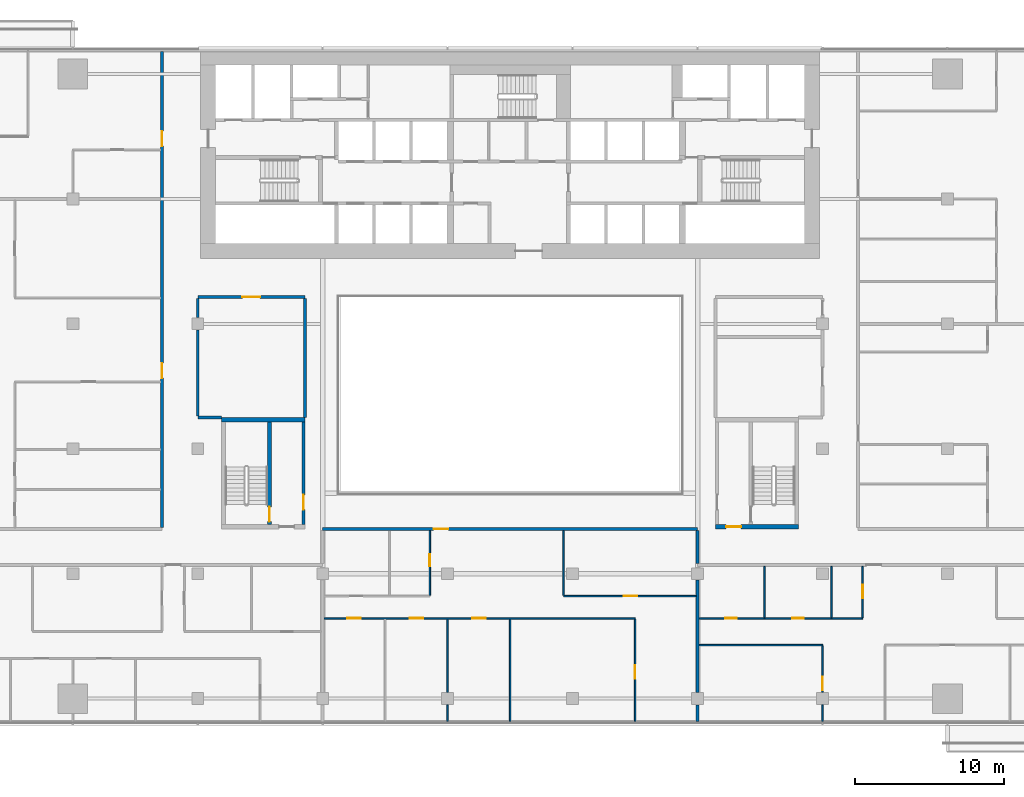
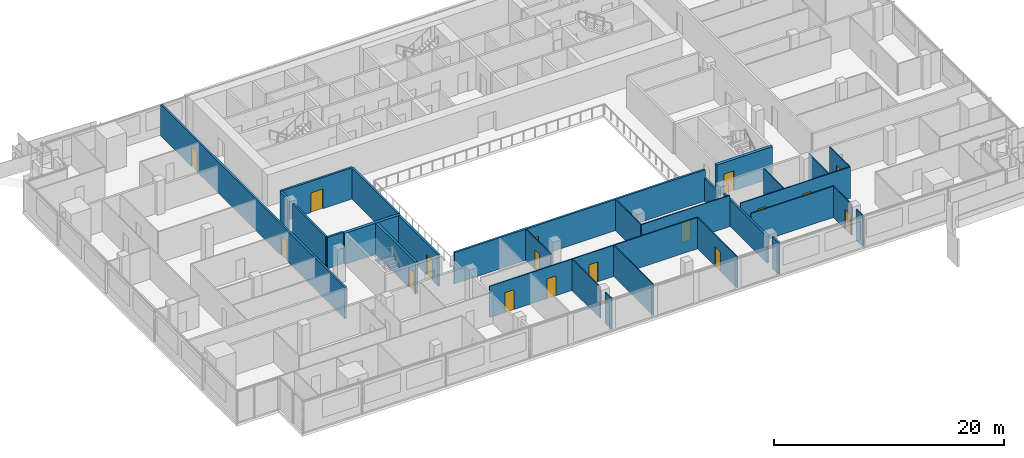
# One storey, part 19 of 30: 29 walls, 17 doors, 17 openings.
"""IFC4 building model written with IfcOpenShell, lengths in metres."""

from ifc_helpers import new_model, si_unit, direction, frame, frame_2d, origin, place, context, subcontext, project, spatial, rectangle, extrude, material, layer, layer_set, type_object, element, fill, save


model = new_model("IFC4")

# Units and contexts
model_context = context("Model", 3, precision=1e-05, world=origin(), true_north=direction((0.0, 1.0)))
body_context = subcontext(model_context, "Body", "Model", "MODEL_VIEW")
ifc_project = project(units=[si_unit("LENGTHUNIT", "METRE"), si_unit("AREAUNIT", "SQUARE_METRE"), si_unit("VOLUMEUNIT", "CUBIC_METRE"), si_unit("PLANEANGLEUNIT", "RADIAN"), si_unit("MASSUNIT", "GRAM", prefix="KILO")], contexts=[model_context])

# Site, building, storey
site_placement = place(None, origin())
site = spatial("IfcSite", under=ifc_project, at=site_placement, CompositionType="ELEMENT")
building_placement = place(site_placement, origin())
building = spatial("IfcBuilding", under=site, at=building_placement, Name="Saffron Gate Tower", CompositionType="ELEMENT")
storey_placement = place(building_placement, frame((0.0, 0.0, 127.64990234375)))
storey = spatial("IfcBuildingStorey", under=building, at=storey_placement, Name="L30", CompositionType="ELEMENT", Elevation=127.64990234375)

# Wall, opening, door
ifc_material_1 = material(Name="Gypsum board partition on steel studs", Category="steel")
ifc_layer_1 = layer(ifc_material_1, 0.199951171875)
ifc_layer_set_1 = layer_set([ifc_layer_1], Name="CW10 Core partition 200")
wall_type_1 = type_object("IfcWallType", Name="CW10 Core partition 200", PredefinedType="PARTITIONING", material=ifc_layer_set_1)
wall_1_placement = place(storey_placement, frame((73.699951171875, 43.5, 0.0), z_axis=(0.0, 0.0, 1.0), x_axis=(0.0, 1.0, 0.0)))
wall_1 = element("IfcWall", 1, at=wall_1_placement, inside=storey, type_object=wall_type_1, Name="Wall CW10-L30-D-4", PredefinedType="PARTITIONING", context=body_context, shape_type="SweptSolid", body=[
    extrude(rectangle(XDim=6.89990234375, YDim=0.199951171875, at=frame_2d((3.449951171875, 0.0))), origin(), (0.0, 0.0, 1.0), 3.320068359375),
])
opening_1_placement = place(wall_1_placement, frame((1.0, 0.0, 0.0)))
opening_1 = element("IfcOpeningElement", 2, at=opening_1_placement, cuts=wall_1, Name="Opening CR-19", PredefinedType="OPENING", context=body_context, shape_type="SweptSolid", body=[
    extrude(rectangle(XDim=1.0, YDim=2.10009765625, at=frame_2d((0.5, 1.050048828125))), frame((0.0, 0.10986328125, 0.0), z_axis=(0.0, -1.0, 0.0), x_axis=(1.0, 0.0, 0.0)), (0.0, 0.0, 1.0), 0.219970703125),
])
ifc_material_2 = material(Name="Steel fire door set", Category="steel")
door_type_1 = type_object("IfcDoorType", Name="CD4 Lobby door 1000x2100 EI 120", OperationType="NOTDEFINED", PredefinedType="DOOR", material=ifc_material_2)
door_1_placement = place(opening_1_placement, origin())
door_1 = element("IfcDoor", 3, at=door_1_placement, inside=storey, type_object=door_type_1, Name="DOOR CR-19", OperationType="SINGLE_SWING_RIGHT", OverallHeight=2.10009765625, OverallWidth=1.0, PredefinedType="DOOR", context=body_context, shape_type="SweptSolid", body=[
    extrude(rectangle(XDim=1.0, YDim=2.10009765625, at=frame_2d((0.5, 1.050048828125))), frame((0.0, 0.02490234375, 0.0), z_axis=(0.0, -1.0, 0.0), x_axis=(1.0, 0.0, 0.0)), (0.0, 0.0, 1.0), 0.050048828125),
])
fill(opening_1, door_1)

ifc_material_3 = material(Name="Concrete C70", Category="concrete")
ifc_layer_2 = layer(ifc_material_3, 0.25)
ifc_layer_set_2 = layer_set([ifc_layer_2], Name="CW2 RC core wall 250 C70")
wall_type_2 = type_object("IfcWallType", Name="CW2 RC core wall 250 C70", PredefinedType="SOLIDWALL", material=ifc_layer_set_2)
wall_2_placement = place(storey_placement, frame((71.425048828125, 43.5, 0.0), z_axis=(0.0, 0.0, 1.0), x_axis=(0.0, 1.0, 0.0)))
wall_2 = element("IfcWall", 4, at=wall_2_placement, inside=storey, type_object=wall_type_2, Name="Wall CW2-L30-D-3", PredefinedType="SOLIDWALL", context=body_context, shape_type="SweptSolid", body=[
    extrude(rectangle(XDim=6.89990234375, YDim=0.25, at=frame_2d((3.449951171875, 0.0))), origin(), (0.0, 0.0, 1.0), 3.320068359375),
])
opening_2_placement = place(wall_2_placement, frame((0.199951171875, 0.0, 0.0)))
opening_2 = element("IfcOpeningElement", 5, at=opening_2_placement, cuts=wall_2, Name="Opening CR-20", PredefinedType="OPENING", context=body_context, shape_type="SweptSolid", body=[
    extrude(rectangle(XDim=1.0, YDim=2.10009765625, at=frame_2d((0.5, 1.050048828125))), frame((0.0, 0.135009765625, 0.0), z_axis=(0.0, -1.0, 0.0), x_axis=(1.0, 0.0, 0.0)), (0.0, 0.0, 1.0), 0.27001953125),
])
door_type_2 = type_object("IfcDoorType", Name="CD5 Stair door 1000x2100 EI 120", OperationType="NOTDEFINED", PredefinedType="DOOR", material=ifc_material_2)
door_2_placement = place(opening_2_placement, origin())
door_2 = element("IfcDoor", 6, at=door_2_placement, inside=storey, type_object=door_type_2, Name="DOOR CR-20", OperationType="SINGLE_SWING_LEFT", OverallHeight=2.10009765625, OverallWidth=1.0, PredefinedType="DOOR", context=body_context, shape_type="SweptSolid", body=[
    extrude(rectangle(XDim=1.0, YDim=2.10009765625, at=frame_2d((0.5, 1.050048828125))), frame((0.0, 0.02490234375, 0.0), z_axis=(0.0, -1.0, 0.0), x_axis=(1.0, 0.0, 0.0)), (0.0, 0.0, 1.0), 0.050048828125),
])
fill(opening_2, door_2)

# Wall
ifc_layer_3 = layer(ifc_material_3, 0.300048828125)
ifc_layer_set_3 = layer_set([ifc_layer_3], Name="CW5 RC core wall 300 C70")
wall_type_3 = type_object("IfcWallType", Name="CW5 RC core wall 300 C70", PredefinedType="SOLIDWALL", material=ifc_layer_set_3)
wall_3_placement = place(storey_placement, frame((68.199951171875, 50.550048828125, 0.0), z_axis=(0.0, 0.0, 1.0), x_axis=(1.0, 0.0, 0.0)))
element("IfcWall", 7, at=wall_3_placement, inside=storey, type_object=wall_type_3, Name="Wall CW5-L30-D-5", PredefinedType="SOLIDWALL", context=body_context, shape_type="SweptSolid", body=[
    extrude(rectangle(XDim=5.60009765625, YDim=0.300048828125, at=frame_2d((2.800048828125, 0.0))), origin(), (0.0, 0.0, 1.0), 3.320068359375),
])

# Wall, opening, door
wall_4_placement = place(storey_placement, frame((101.39990234375, 43.35009765625, 0.0), z_axis=(0.0, 0.0, 1.0), x_axis=(1.0, 0.0, 0.0)))
wall_4 = element("IfcWall", 8, at=wall_4_placement, inside=storey, type_object=wall_type_3, Name="Wall CW5-L30-E-1", PredefinedType="SOLIDWALL", context=body_context, shape_type="SweptSolid", body=[
    extrude(rectangle(XDim=5.60009765625, YDim=0.300048828125, at=frame_2d((2.800048828125, 0.0))), origin(), (0.0, 0.0, 1.0), 3.320068359375),
])
opening_3_placement = place(wall_4_placement, frame((0.72509765625, 0.0, 0.0)))
opening_3 = element("IfcOpeningElement", 9, at=opening_3_placement, cuts=wall_4, Name="Opening CR-21", PredefinedType="OPENING", context=body_context, shape_type="SweptSolid", body=[
    extrude(rectangle(XDim=1.0, YDim=2.10009765625, at=frame_2d((0.5, 1.050048828125))), frame((0.0, 0.16015625, 0.0), z_axis=(0.0, -1.0, 0.0), x_axis=(1.0, 0.0, 0.0)), (0.0, 0.0, 1.0), 0.320068359375),
])
door_3_placement = place(opening_3_placement, origin())
door_3 = element("IfcDoor", 10, at=door_3_placement, inside=storey, type_object=door_type_1, Name="DOOR CR-21", OperationType="SINGLE_SWING_RIGHT", OverallHeight=2.10009765625, OverallWidth=1.0, PredefinedType="DOOR", context=body_context, shape_type="SweptSolid", body=[
    extrude(rectangle(XDim=1.0, YDim=2.10009765625, at=frame_2d((0.5, 1.050048828125))), frame((0.0, 0.02490234375, 0.0), z_axis=(0.0, -1.0, 0.0), x_axis=(1.0, 0.0, 0.0)), (0.0, 0.0, 1.0), 0.050048828125),
])
fill(opening_3, door_3)

# Wall
ifc_material_4 = material(Name="Plasterboard on steel studs", Category="steel")
ifc_layer_4 = layer(ifc_material_4, 0.10009765625)
ifc_layer_set_4 = layer_set([ifc_layer_4], Name="PW1 Partition 100")
wall_type_4 = type_object("IfcWallType", Name="PW1 Partition 100", PredefinedType="PARTITIONING", material=ifc_layer_set_4)
wall_5_placement = place(storey_placement, frame((100.300048828125, 35.39990234375, 0.0), z_axis=(0.0, 0.0, 1.0), x_axis=(1.0, 0.0, 0.0)))
element("IfcWall", 11, at=wall_5_placement, inside=storey, type_object=wall_type_4, Name="Partition B4-2", PredefinedType="PARTITIONING", context=body_context, shape_type="SweptSolid", body=[
    extrude(rectangle(XDim=8.300048828125, YDim=0.10009765625, at=frame_2d((4.14990234375, 0.0))), origin(), (0.0, 0.0, 1.0), 3.320068359375),
])

# Wall, openings, doors
wall_6_placement = place(storey_placement, frame((96.0, 37.199951171875, 0.0), z_axis=(0.0, 0.0, 1.0), x_axis=(-1.0, 0.0, 0.0)))
wall_6 = element("IfcWall", 12, at=wall_6_placement, inside=storey, type_object=wall_type_4, Name="Partition B4-6", PredefinedType="PARTITIONING", context=body_context, shape_type="SweptSolid", body=[
    extrude(rectangle(XDim=20.89990234375, YDim=0.10009765625, at=frame_2d((10.449951171875, 0.0))), origin(), (0.0, 0.0, 1.0), 3.320068359375),
])
opening_4_placement = place(wall_6_placement, frame((10.050048828125, 0.0, 0.0)))
opening_4 = element("IfcOpeningElement", 13, at=opening_4_placement, cuts=wall_6, Name="Opening B4-15", PredefinedType="OPENING", context=body_context, shape_type="SweptSolid", body=[
    extrude(rectangle(XDim=0.89990234375, YDim=2.10009765625, at=frame_2d((0.449951171875, 1.050048828125))), frame((0.0, 0.06005859375, 0.0), z_axis=(0.0, -1.0, 0.0), x_axis=(1.0, 0.0, 0.0)), (0.0, 0.0, 1.0), 0.1201171875),
])
opening_5_placement = place(wall_6_placement, frame((14.25, 0.0, 0.0)))
opening_5 = element("IfcOpeningElement", 14, at=opening_5_placement, cuts=wall_6, Name="Opening B4-14", PredefinedType="OPENING", context=body_context, shape_type="SweptSolid", body=[
    extrude(rectangle(XDim=0.89990234375, YDim=2.10009765625, at=frame_2d((0.449951171875, 1.050048828125))), frame((0.0, 0.06005859375, 0.0), z_axis=(0.0, -1.0, 0.0), x_axis=(1.0, 0.0, 0.0)), (0.0, 0.0, 1.0), 0.1201171875),
])
opening_6_placement = place(wall_6_placement, frame((18.449951171875, 0.0, 0.0)))
opening_6 = element("IfcOpeningElement", 15, at=opening_6_placement, cuts=wall_6, Name="Opening B4-13", PredefinedType="OPENING", context=body_context, shape_type="SweptSolid", body=[
    extrude(rectangle(XDim=0.89990234375, YDim=2.10009765625, at=frame_2d((0.449951171875, 1.050048828125))), frame((0.0, 0.06005859375, 0.0), z_axis=(0.0, -1.0, 0.0), x_axis=(1.0, 0.0, 0.0)), (0.0, 0.0, 1.0), 0.1201171875),
])
ifc_material_5 = material(Name="Timber door set", Category="wood")
door_type_3 = type_object("IfcDoorType", Name="RD1 Room door 900x2100", OperationType="NOTDEFINED", PredefinedType="DOOR", material=ifc_material_5)
door_4_placement = place(opening_4_placement, origin())
door_4 = element("IfcDoor", 16, at=door_4_placement, inside=storey, type_object=door_type_3, Name="Door B4-15", OperationType="SINGLE_SWING_RIGHT", OverallHeight=2.10009765625, OverallWidth=0.89990234375, PredefinedType="DOOR", context=body_context, shape_type="SweptSolid", body=[
    extrude(rectangle(XDim=0.89990234375, YDim=2.10009765625, at=frame_2d((0.449951171875, 1.050048828125))), frame((0.0, 0.02490234375, 0.0), z_axis=(0.0, -1.0, 0.0), x_axis=(1.0, 0.0, 0.0)), (0.0, 0.0, 1.0), 0.050048828125),
])
fill(opening_4, door_4)
door_5_placement = place(opening_5_placement, origin())
door_5 = element("IfcDoor", 17, at=door_5_placement, inside=storey, type_object=door_type_3, Name="Door B4-14", OperationType="SINGLE_SWING_RIGHT", OverallHeight=2.10009765625, OverallWidth=0.89990234375, PredefinedType="DOOR", context=body_context, shape_type="SweptSolid", body=[
    extrude(rectangle(XDim=0.89990234375, YDim=2.10009765625, at=frame_2d((0.449951171875, 1.050048828125))), frame((0.0, 0.02490234375, 0.0), z_axis=(0.0, -1.0, 0.0), x_axis=(1.0, 0.0, 0.0)), (0.0, 0.0, 1.0), 0.050048828125),
])
fill(opening_5, door_5)
door_6_placement = place(opening_6_placement, origin())
door_6 = element("IfcDoor", 18, at=door_6_placement, inside=storey, type_object=door_type_3, Name="Door B4-13", OperationType="SINGLE_SWING_RIGHT", OverallHeight=2.10009765625, OverallWidth=0.89990234375, PredefinedType="DOOR", context=body_context, shape_type="SweptSolid", body=[
    extrude(rectangle(XDim=0.89990234375, YDim=2.10009765625, at=frame_2d((0.449951171875, 1.050048828125))), frame((0.0, 0.02490234375, 0.0), z_axis=(0.0, -1.0, 0.0), x_axis=(1.0, 0.0, 0.0)), (0.0, 0.0, 1.0), 0.050048828125),
])
fill(opening_6, door_6)

wall_7_placement = place(storey_placement, frame((100.300048828125, 37.199951171875, 0.0), z_axis=(0.0, 0.0, 1.0), x_axis=(1.0, 0.0, 0.0)))
wall_7 = element("IfcWall", 19, at=wall_7_placement, inside=storey, type_object=wall_type_4, Name="Partition B4-7", PredefinedType="PARTITIONING", context=body_context, shape_type="SweptSolid", body=[
    extrude(rectangle(XDim=11.0, YDim=0.10009765625, at=frame_2d((5.5, 0.0))), origin(), (0.0, 0.0, 1.0), 3.320068359375),
])
opening_7_placement = place(wall_7_placement, frame((1.75, 0.0, 0.0)))
opening_7 = element("IfcOpeningElement", 20, at=opening_7_placement, cuts=wall_7, Name="Opening B4-40", PredefinedType="OPENING", context=body_context, shape_type="SweptSolid", body=[
    extrude(rectangle(XDim=0.800048828125, YDim=2.10009765625, at=frame_2d((0.39990234375, 1.050048828125))), frame((0.0, 0.06005859375, 0.0), z_axis=(0.0, -1.0, 0.0), x_axis=(1.0, 0.0, 0.0)), (0.0, 0.0, 1.0), 0.1201171875),
])
opening_8_placement = place(wall_7_placement, frame((6.25, 0.0, 0.0)))
opening_8 = element("IfcOpeningElement", 21, at=opening_8_placement, cuts=wall_7, Name="Opening B4-41", PredefinedType="OPENING", context=body_context, shape_type="SweptSolid", body=[
    extrude(rectangle(XDim=0.800048828125, YDim=2.10009765625, at=frame_2d((0.39990234375, 1.050048828125))), frame((0.0, 0.06005859375, 0.0), z_axis=(0.0, -1.0, 0.0), x_axis=(1.0, 0.0, 0.0)), (0.0, 0.0, 1.0), 0.1201171875),
])
door_type_4 = type_object("IfcDoorType", Name="RD2 Bathroom door 800x2100", OperationType="NOTDEFINED", PredefinedType="DOOR", material=ifc_material_5)
door_7_placement = place(opening_7_placement, origin())
door_7 = element("IfcDoor", 22, at=door_7_placement, inside=storey, type_object=door_type_4, Name="Door B4-40", OperationType="SINGLE_SWING_LEFT", OverallHeight=2.10009765625, OverallWidth=0.800048828125, PredefinedType="DOOR", context=body_context, shape_type="SweptSolid", body=[
    extrude(rectangle(XDim=0.800048828125, YDim=2.10009765625, at=frame_2d((0.39990234375, 1.050048828125))), frame((0.0, 0.02490234375, 0.0), z_axis=(0.0, -1.0, 0.0), x_axis=(1.0, 0.0, 0.0)), (0.0, 0.0, 1.0), 0.050048828125),
])
fill(opening_7, door_7)
door_8_placement = place(opening_8_placement, origin())
door_8 = element("IfcDoor", 23, at=door_8_placement, inside=storey, type_object=door_type_4, Name="Door B4-41", OperationType="SINGLE_SWING_RIGHT", OverallHeight=2.10009765625, OverallWidth=0.800048828125, PredefinedType="DOOR", context=body_context, shape_type="SweptSolid", body=[
    extrude(rectangle(XDim=0.800048828125, YDim=2.10009765625, at=frame_2d((0.39990234375, 1.050048828125))), frame((0.0, 0.02490234375, 0.0), z_axis=(0.0, -1.0, 0.0), x_axis=(1.0, 0.0, 0.0)), (0.0, 0.0, 1.0), 0.050048828125),
])
fill(opening_8, door_8)

# Wall, opening, door
wall_8_placement = place(storey_placement, frame((91.199951171875, 38.699951171875, 0.0), z_axis=(0.0, 0.0, 1.0), x_axis=(1.0, 0.0, 0.0)))
wall_8 = element("IfcWall", 24, at=wall_8_placement, inside=storey, type_object=wall_type_4, Name="Partition B4-10", PredefinedType="PARTITIONING", context=body_context, shape_type="SweptSolid", body=[
    extrude(rectangle(XDim=8.900146484375, YDim=0.10009765625, at=frame_2d((4.4501953125, 0.0))), origin(), (0.0, 0.0, 1.0), 3.320068359375),
])
opening_9_placement = place(wall_8_placement, frame((4.050048828125, 0.0, 0.0)))
opening_9 = element("IfcOpeningElement", 25, at=opening_9_placement, cuts=wall_8, Name="Opening B4-17", PredefinedType="OPENING", context=body_context, shape_type="SweptSolid", body=[
    extrude(rectangle(XDim=0.89990234375, YDim=2.10009765625, at=frame_2d((0.449951171875, 1.050048828125))), frame((0.0, 0.06005859375, 0.0), z_axis=(0.0, -1.0, 0.0), x_axis=(1.0, 0.0, 0.0)), (0.0, 0.0, 1.0), 0.1201171875),
])
door_9_placement = place(opening_9_placement, origin())
door_9 = element("IfcDoor", 26, at=door_9_placement, inside=storey, type_object=door_type_3, Name="Door B4-17", OperationType="SINGLE_SWING_RIGHT", OverallHeight=2.10009765625, OverallWidth=0.89990234375, PredefinedType="DOOR", context=body_context, shape_type="SweptSolid", body=[
    extrude(rectangle(XDim=0.89990234375, YDim=2.10009765625, at=frame_2d((0.449951171875, 1.050048828125))), frame((0.0, 0.02490234375, 0.0), z_axis=(0.0, -1.0, 0.0), x_axis=(1.0, 0.0, 0.0)), (0.0, 0.0, 1.0), 0.050048828125),
])
fill(opening_9, door_9)

wall_9_placement = place(storey_placement, frame((82.199951171875, 38.75, 0.0), z_axis=(0.0, 0.0, 1.0), x_axis=(0.0, 1.0, 0.0)))
wall_9 = element("IfcWall", 27, at=wall_9_placement, inside=storey, type_object=wall_type_4, Name="Partition B4-76", PredefinedType="PARTITIONING", context=body_context, shape_type="SweptSolid", body=[
    extrude(rectangle(XDim=4.35009765625, YDim=0.10009765625, at=frame_2d((2.175048828125, 0.0))), origin(), (0.0, 0.0, 1.0), 3.320068359375),
])
opening_10_placement = place(wall_9_placement, frame((1.949951171875, 0.0, 0.0)))
opening_10 = element("IfcOpeningElement", 28, at=opening_10_placement, cuts=wall_9, Name="Opening B4-39", PredefinedType="OPENING", context=body_context, shape_type="SweptSolid", body=[
    extrude(rectangle(XDim=0.800048828125, YDim=2.10009765625, at=frame_2d((0.39990234375, 1.050048828125))), frame((0.0, 0.06005859375, 0.0), z_axis=(0.0, -1.0, 0.0), x_axis=(1.0, 0.0, 0.0)), (0.0, 0.0, 1.0), 0.1201171875),
])
door_10_placement = place(opening_10_placement, origin())
door_10 = element("IfcDoor", 29, at=door_10_placement, inside=storey, type_object=door_type_4, Name="Door B4-39", OperationType="SINGLE_SWING_RIGHT", OverallHeight=2.10009765625, OverallWidth=0.800048828125, PredefinedType="DOOR", context=body_context, shape_type="SweptSolid", body=[
    extrude(rectangle(XDim=0.800048828125, YDim=2.10009765625, at=frame_2d((0.39990234375, 1.050048828125))), frame((0.0, 0.02490234375, 0.0), z_axis=(0.0, -1.0, 0.0), x_axis=(1.0, 0.0, 0.0)), (0.0, 0.0, 1.0), 0.050048828125),
])
fill(opening_10, door_10)

# Walls
wall_10_placement = place(storey_placement, frame((83.39990234375, 31.3798828125, 0.0), z_axis=(0.0, 0.0, 1.0), x_axis=(0.0, -1.0, 0.0)))
element("IfcWall", 30, at=wall_10_placement, inside=storey, type_object=wall_type_4, Name="Partition B4-77", PredefinedType="PARTITIONING", context=body_context, shape_type="SweptSolid", body=[
    extrude(rectangle(XDim=1.099853515625, YDim=0.10009765625, at=frame_2d((0.5498046875, 0.0))), origin(), (0.0, 0.0, 1.0), 3.320068359375),
])
wall_11_placement = place(storey_placement, frame((83.39990234375, 37.14990234375, 0.0), z_axis=(0.0, 0.0, 1.0), x_axis=(0.0, -1.0, 0.0)))
element("IfcWall", 31, at=wall_11_placement, inside=storey, type_object=wall_type_4, Name="Partition B4-78", PredefinedType="PARTITIONING", context=body_context, shape_type="SweptSolid", body=[
    extrude(rectangle(XDim=4.929931640625, YDim=0.10009765625, at=frame_2d((2.46484375, 0.0))), origin(), (0.0, 0.0, 1.0), 3.320068359375),
])
wall_12_placement = place(storey_placement, frame((87.60009765625, 37.14990234375, 0.0), z_axis=(0.0, 0.0, 1.0), x_axis=(0.0, -1.0, 0.0)))
element("IfcWall", 32, at=wall_12_placement, inside=storey, type_object=wall_type_4, Name="Partition B4-79", PredefinedType="PARTITIONING", context=body_context, shape_type="SweptSolid", body=[
    extrude(rectangle(XDim=6.869873046875, YDim=0.10009765625, at=frame_2d((3.43505859375, 0.0))), origin(), (0.0, 0.0, 1.0), 3.320068359375),
])
wall_13_placement = place(storey_placement, frame((91.199951171875, 43.10009765625, 0.0), z_axis=(0.0, 0.0, 1.0), x_axis=(0.0, -1.0, 0.0)))
element("IfcWall", 33, at=wall_13_placement, inside=storey, type_object=wall_type_4, Name="Partition B4-80", PredefinedType="PARTITIONING", context=body_context, shape_type="SweptSolid", body=[
    extrude(rectangle(XDim=4.35009765625, YDim=0.10009765625, at=frame_2d((2.175048828125, 0.0))), origin(), (0.0, 0.0, 1.0), 3.320068359375),
])

# Wall, opening, door
wall_14_placement = place(storey_placement, frame((96.0, 30.280029296875, 0.0), z_axis=(0.0, 0.0, 1.0), x_axis=(0.0, 1.0, 0.0)))
wall_14 = element("IfcWall", 34, at=wall_14_placement, inside=storey, type_object=wall_type_4, Name="Partition B4-81", PredefinedType="PARTITIONING", context=body_context, shape_type="SweptSolid", body=[
    extrude(rectangle(XDim=6.869873046875, YDim=0.10009765625, at=frame_2d((3.43505859375, 0.0))), origin(), (0.0, 0.0, 1.0), 3.320068359375),
])
opening_11_placement = place(wall_14_placement, frame((2.8701171875, 0.0, 0.0)))
opening_11 = element("IfcOpeningElement", 35, at=opening_11_placement, cuts=wall_14, Name="Opening B4-16", PredefinedType="OPENING", context=body_context, shape_type="SweptSolid", body=[
    extrude(rectangle(XDim=0.89990234375, YDim=2.10009765625, at=frame_2d((0.449951171875, 1.050048828125))), frame((0.0, 0.06005859375, 0.0), z_axis=(0.0, -1.0, 0.0), x_axis=(1.0, 0.0, 0.0)), (0.0, 0.0, 1.0), 0.1201171875),
])
door_11_placement = place(opening_11_placement, origin())
door_11 = element("IfcDoor", 36, at=door_11_placement, inside=storey, type_object=door_type_3, Name="Door B4-16", OperationType="SINGLE_SWING_LEFT", OverallHeight=2.10009765625, OverallWidth=0.89990234375, PredefinedType="DOOR", context=body_context, shape_type="SweptSolid", body=[
    extrude(rectangle(XDim=0.89990234375, YDim=2.10009765625, at=frame_2d((0.449951171875, 1.050048828125))), frame((0.0, 0.02490234375, 0.0), z_axis=(0.0, -1.0, 0.0), x_axis=(1.0, 0.0, 0.0)), (0.0, 0.0, 1.0), 0.050048828125),
])
fill(opening_11, door_11)

# Walls
wall_15_placement = place(storey_placement, frame((104.699951171875, 40.699951171875, 0.0), z_axis=(0.0, 0.0, 1.0), x_axis=(0.0, -1.0, 0.0)))
element("IfcWall", 37, at=wall_15_placement, inside=storey, type_object=wall_type_4, Name="Partition B4-86", PredefinedType="PARTITIONING", context=body_context, shape_type="SweptSolid", body=[
    extrude(rectangle(XDim=3.449951171875, YDim=0.10009765625, at=frame_2d((1.72509765625, 0.0))), origin(), (0.0, 0.0, 1.0), 3.320068359375),
])
wall_16_placement = place(storey_placement, frame((108.60009765625, 31.3798828125, 0.0), z_axis=(0.0, 0.0, 1.0), x_axis=(0.0, -1.0, 0.0)))
element("IfcWall", 38, at=wall_16_placement, inside=storey, type_object=wall_type_4, Name="Partition B4-89", PredefinedType="PARTITIONING", context=body_context, shape_type="SweptSolid", body=[
    extrude(rectangle(XDim=1.099853515625, YDim=0.10009765625, at=frame_2d((0.5498046875, 0.0))), origin(), (0.0, 0.0, 1.0), 3.320068359375),
])

# Wall, opening, door
wall_17_placement = place(storey_placement, frame((108.60009765625, 32.219970703125, 0.0), z_axis=(0.0, 0.0, 1.0), x_axis=(0.0, 1.0, 0.0)))
wall_17 = element("IfcWall", 39, at=wall_17_placement, inside=storey, type_object=wall_type_4, Name="Partition B4-90", PredefinedType="PARTITIONING", context=body_context, shape_type="SweptSolid", body=[
    extrude(rectangle(XDim=3.130126953125, YDim=0.10009765625, at=frame_2d((1.56494140625, 0.0))), origin(), (0.0, 0.0, 1.0), 3.320068359375),
])
opening_12_placement = place(wall_17_placement, frame((0.14990234375, 0.0, 0.0)))
opening_12 = element("IfcOpeningElement", 40, at=opening_12_placement, cuts=wall_17, Name="Opening B4-18", PredefinedType="OPENING", context=body_context, shape_type="SweptSolid", body=[
    extrude(rectangle(XDim=0.89990234375, YDim=2.10009765625, at=frame_2d((0.449951171875, 1.050048828125))), frame((0.0, 0.06005859375, 0.0), z_axis=(0.0, -1.0, 0.0), x_axis=(1.0, 0.0, 0.0)), (0.0, 0.0, 1.0), 0.1201171875),
])
door_12_placement = place(opening_12_placement, origin())
door_12 = element("IfcDoor", 41, at=door_12_placement, inside=storey, type_object=door_type_3, Name="Door B4-18", OperationType="SINGLE_SWING_LEFT", OverallHeight=2.10009765625, OverallWidth=0.89990234375, PredefinedType="DOOR", context=body_context, shape_type="SweptSolid", body=[
    extrude(rectangle(XDim=0.89990234375, YDim=2.10009765625, at=frame_2d((0.449951171875, 1.050048828125))), frame((0.0, 0.02490234375, 0.0), z_axis=(0.0, -1.0, 0.0), x_axis=(1.0, 0.0, 0.0)), (0.0, 0.0, 1.0), 0.050048828125),
])
fill(opening_12, door_12)

# Wall
wall_18_placement = place(storey_placement, frame((109.199951171875, 40.699951171875, 0.0), z_axis=(0.0, 0.0, 1.0), x_axis=(0.0, -1.0, 0.0)))
element("IfcWall", 42, at=wall_18_placement, inside=storey, type_object=wall_type_4, Name="Partition B4-91", PredefinedType="PARTITIONING", context=body_context, shape_type="SweptSolid", body=[
    extrude(rectangle(XDim=3.449951171875, YDim=0.10009765625, at=frame_2d((1.72509765625, 0.0))), origin(), (0.0, 0.0, 1.0), 3.320068359375),
])

# Wall, opening, door
wall_19_placement = place(storey_placement, frame((111.300048828125, 37.25, 0.0), z_axis=(0.0, 0.0, 1.0), x_axis=(0.0, 1.0, 0.0)))
wall_19 = element("IfcWall", 43, at=wall_19_placement, inside=storey, type_object=wall_type_4, Name="Partition B4-93", PredefinedType="PARTITIONING", context=body_context, shape_type="SweptSolid", body=[
    extrude(rectangle(XDim=3.449951171875, YDim=0.10009765625, at=frame_2d((1.72509765625, 0.0))), origin(), (0.0, 0.0, 1.0), 3.320068359375),
])
opening_13_placement = place(wall_19_placement, frame((1.300048828125, 0.0, 0.0)))
opening_13 = element("IfcOpeningElement", 44, at=opening_13_placement, cuts=wall_19, Name="Opening B4-22", PredefinedType="OPENING", context=body_context, shape_type="SweptSolid", body=[
    extrude(rectangle(XDim=0.89990234375, YDim=2.10009765625, at=frame_2d((0.449951171875, 1.050048828125))), frame((0.0, 0.06005859375, 0.0), z_axis=(0.0, -1.0, 0.0), x_axis=(1.0, 0.0, 0.0)), (0.0, 0.0, 1.0), 0.1201171875),
])
door_13_placement = place(opening_13_placement, origin())
door_13 = element("IfcDoor", 45, at=door_13_placement, inside=storey, type_object=door_type_3, Name="Door B4-22", OperationType="SINGLE_SWING_RIGHT", OverallHeight=2.10009765625, OverallWidth=0.89990234375, PredefinedType="DOOR", context=body_context, shape_type="SweptSolid", body=[
    extrude(rectangle(XDim=0.89990234375, YDim=2.10009765625, at=frame_2d((0.449951171875, 1.050048828125))), frame((0.0, 0.02490234375, 0.0), z_axis=(0.0, -1.0, 0.0), x_axis=(1.0, 0.0, 0.0)), (0.0, 0.0, 1.0), 0.050048828125),
])
fill(opening_13, door_13)

# Walls
ifc_material_6 = material(Name="Clay brick masonry, rendered", Category="masonry")
ifc_layer_5 = layer(ifc_material_6, 0.199951171875)
ifc_layer_set_5 = layer_set([ifc_layer_5], Name="PW2 Demising wall 200")
wall_type_5 = type_object("IfcWallType", Name="PW2 Demising wall 200", PredefinedType="PARTITIONING", material=ifc_layer_set_5)
wall_20_placement = place(storey_placement, frame((100.199951171875, 31.3798828125, 0.0), z_axis=(0.0, 0.0, 1.0), x_axis=(0.0, -1.0, 0.0)))
element("IfcWall", 46, at=wall_20_placement, inside=storey, type_object=wall_type_5, Name="Wall B4-83", PredefinedType="PARTITIONING", context=body_context, shape_type="SweptSolid", body=[
    extrude(rectangle(XDim=1.099853515625, YDim=0.199951171875, at=frame_2d((0.5498046875, 0.0))), origin(), (0.0, 0.0, 1.0), 3.320068359375),
])
wall_21_placement = place(storey_placement, frame((100.199951171875, 39.780029296875, 0.0), z_axis=(0.0, 0.0, 1.0), x_axis=(0.0, -1.0, 0.0)))
element("IfcWall", 47, at=wall_21_placement, inside=storey, type_object=wall_type_5, Name="Wall B4-84", PredefinedType="PARTITIONING", context=body_context, shape_type="SweptSolid", body=[
    extrude(rectangle(XDim=7.56005859375, YDim=0.199951171875, at=frame_2d((3.780029296875, 0.0))), origin(), (0.0, 0.0, 1.0), 2.830078125),
])

# Wall, opening, door
ifc_layer_6 = layer(ifc_material_6, 0.199951171875)
ifc_layer_set_6 = layer_set([ifc_layer_6], Name="PW3 Corridor wall 200")
wall_type_6 = type_object("IfcWallType", Name="PW3 Corridor wall 200", PredefinedType="PARTITIONING", material=ifc_layer_set_6)
wall_22_placement = place(storey_placement, frame((100.199951171875, 43.199951171875, 0.0), z_axis=(0.0, 0.0, 1.0), x_axis=(-1.0, 0.0, 0.0)))
wall_22 = element("IfcWall", 48, at=wall_22_placement, inside=storey, type_object=wall_type_6, Name="Wall B4-16", PredefinedType="PARTITIONING", context=body_context, shape_type="SweptSolid", body=[
    extrude(rectangle(XDim=25.199951171875, YDim=0.199951171875, at=frame_2d((12.60009765625, 0.0))), origin(), (0.0, 0.0, 1.0), 3.320068359375),
])
opening_14_placement = place(wall_22_placement, frame((16.75, 0.0, 0.0)))
opening_14 = element("IfcOpeningElement", 49, at=opening_14_placement, cuts=wall_22, Name="Opening B4-2", PredefinedType="OPENING", context=body_context, shape_type="SweptSolid", body=[
    extrude(rectangle(XDim=1.0, YDim=2.10009765625, at=frame_2d((0.5, 1.050048828125))), frame((0.0, 0.10986328125, 0.0), z_axis=(0.0, -1.0, 0.0), x_axis=(1.0, 0.0, 0.0)), (0.0, 0.0, 1.0), 0.219970703125),
])
ifc_material_7 = material(Name="Timber fire door set", Category="wood")
door_type_5 = type_object("IfcDoorType", Name="FD1 Flat entry door 1000x2100", OperationType="NOTDEFINED", PredefinedType="DOOR", material=ifc_material_7)
door_14_placement = place(opening_14_placement, origin())
door_14 = element("IfcDoor", 50, at=door_14_placement, inside=storey, type_object=door_type_5, Name="Door B4-2", OperationType="SINGLE_SWING_RIGHT", OverallHeight=2.10009765625, OverallWidth=1.0, PredefinedType="DOOR", context=body_context, shape_type="SweptSolid", body=[
    extrude(rectangle(XDim=1.0, YDim=2.10009765625, at=frame_2d((0.5, 1.050048828125))), frame((0.0, 0.02490234375, 0.0), z_axis=(0.0, -1.0, 0.0), x_axis=(1.0, 0.0, 0.0)), (0.0, 0.0, 1.0), 0.050048828125),
])
fill(opening_14, door_14)

# Wall
wall_23_placement = place(storey_placement, frame((66.60009765625, 50.699951171875, 0.0), z_axis=(0.0, 0.0, 1.0), x_axis=(1.0, 0.0, 0.0)))
element("IfcWall", 51, at=wall_23_placement, inside=storey, type_object=wall_type_6, Name="Wall B4-28", PredefinedType="PARTITIONING", context=body_context, shape_type="SweptSolid", body=[
    extrude(rectangle(XDim=1.599853515625, YDim=0.199951171875, at=frame_2d((0.7998046875, 0.0))), origin(), (0.0, 0.0, 1.0), 3.320068359375),
])

# Wall, opening, door
wall_24_placement = place(storey_placement, frame((73.800048828125, 58.800048828125, 0.0), z_axis=(0.0, 0.0, 1.0), x_axis=(-1.0, 0.0, 0.0)))
wall_24 = element("IfcWall", 52, at=wall_24_placement, inside=storey, type_object=wall_type_6, Name="Wall B4-39", PredefinedType="PARTITIONING", context=body_context, shape_type="SweptSolid", body=[
    extrude(rectangle(XDim=7.199951171875, YDim=0.199951171875, at=frame_2d((3.60009765625, 0.0))), origin(), (0.0, 0.0, 1.0), 3.320068359375),
])
opening_15_placement = place(wall_24_placement, frame((3.0, 0.0, 0.0)))
opening_15 = element("IfcOpeningElement", 53, at=opening_15_placement, cuts=wall_24, Name="Opening B4-49", PredefinedType="OPENING", context=body_context, shape_type="SweptSolid", body=[
    extrude(rectangle(XDim=1.199951171875, YDim=2.10009765625, at=frame_2d((0.60009765625, 1.050048828125))), frame((0.0, 0.10986328125, 0.0), z_axis=(0.0, -1.0, 0.0), x_axis=(1.0, 0.0, 0.0)), (0.0, 0.0, 1.0), 0.219970703125),
])
door_type_6 = type_object("IfcDoorType", Name="HD1 Hall door 1200x2100", OperationType="NOTDEFINED", PredefinedType="DOOR", material=ifc_material_5)
door_15_placement = place(opening_15_placement, origin())
door_15 = element("IfcDoor", 54, at=door_15_placement, inside=storey, type_object=door_type_6, Name="Door B4-49", OperationType="SINGLE_SWING_LEFT", OverallHeight=2.10009765625, OverallWidth=1.199951171875, PredefinedType="DOOR", context=body_context, shape_type="SweptSolid", body=[
    extrude(rectangle(XDim=1.199951171875, YDim=2.10009765625, at=frame_2d((0.60009765625, 1.050048828125))), frame((0.0, 0.02490234375, 0.0), z_axis=(0.0, -1.0, 0.0), x_axis=(1.0, 0.0, 0.0)), (0.0, 0.0, 1.0), 0.050048828125),
])
fill(opening_15, door_15)

# Wall, openings, doors
wall_25_placement = place(storey_placement, frame((64.199951171875, 43.300048828125, 0.0), z_axis=(0.0, 0.0, 1.0), x_axis=(0.0, 1.0, 0.0)))
wall_25 = element("IfcWall", 55, at=wall_25_placement, inside=storey, type_object=wall_type_6, Name="Wall B4-63", PredefinedType="PARTITIONING", context=body_context, shape_type="SweptSolid", body=[
    extrude(rectangle(XDim=32.02001953125, YDim=0.199951171875, at=frame_2d((16.010009765625, 0.0))), origin(), (0.0, 0.0, 1.0), 3.320068359375),
])
opening_16_placement = place(wall_25_placement, frame((10.050048828125, 0.0, 0.0)))
opening_16 = element("IfcOpeningElement", 56, at=opening_16_placement, cuts=wall_25, Name="Opening B4-4", PredefinedType="OPENING", context=body_context, shape_type="SweptSolid", body=[
    extrude(rectangle(XDim=1.0, YDim=2.10009765625, at=frame_2d((0.5, 1.050048828125))), frame((0.0, 0.10986328125, 0.0), z_axis=(0.0, -1.0, 0.0), x_axis=(1.0, 0.0, 0.0)), (0.0, 0.0, 1.0), 0.219970703125),
])
opening_17_placement = place(wall_25_placement, frame((25.64990234375, 0.0, 0.0)))
opening_17 = element("IfcOpeningElement", 57, at=opening_17_placement, cuts=wall_25, Name="Opening B4-5", PredefinedType="OPENING", context=body_context, shape_type="SweptSolid", body=[
    extrude(rectangle(XDim=1.0, YDim=2.10009765625, at=frame_2d((0.5, 1.050048828125))), frame((0.0, 0.10986328125, 0.0), z_axis=(0.0, -1.0, 0.0), x_axis=(1.0, 0.0, 0.0)), (0.0, 0.0, 1.0), 0.219970703125),
])
door_16_placement = place(opening_16_placement, origin())
door_16 = element("IfcDoor", 58, at=door_16_placement, inside=storey, type_object=door_type_5, Name="Door B4-4", OperationType="SINGLE_SWING_RIGHT", OverallHeight=2.10009765625, OverallWidth=1.0, PredefinedType="DOOR", context=body_context, shape_type="SweptSolid", body=[
    extrude(rectangle(XDim=1.0, YDim=2.10009765625, at=frame_2d((0.5, 1.050048828125))), frame((0.0, 0.02490234375, 0.0), z_axis=(0.0, -1.0, 0.0), x_axis=(1.0, 0.0, 0.0)), (0.0, 0.0, 1.0), 0.050048828125),
])
fill(opening_16, door_16)
door_17_placement = place(opening_17_placement, origin())
door_17 = element("IfcDoor", 59, at=door_17_placement, inside=storey, type_object=door_type_5, Name="Door B4-5", OperationType="SINGLE_SWING_LEFT", OverallHeight=2.10009765625, OverallWidth=1.0, PredefinedType="DOOR", context=body_context, shape_type="SweptSolid", body=[
    extrude(rectangle(XDim=1.0, YDim=2.10009765625, at=frame_2d((0.5, 1.050048828125))), frame((0.0, 0.02490234375, 0.0), z_axis=(0.0, -1.0, 0.0), x_axis=(1.0, 0.0, 0.0)), (0.0, 0.0, 1.0), 0.050048828125),
])
fill(opening_17, door_17)

# Walls
wall_26_placement = place(storey_placement, frame((66.60009765625, 56.580078125, 0.0), z_axis=(0.0, 0.0, 1.0), x_axis=(0.0, -1.0, 0.0)))
element("IfcWall", 60, at=wall_26_placement, inside=storey, type_object=wall_type_6, Name="Wall B4-66", PredefinedType="PARTITIONING", context=body_context, shape_type="SweptSolid", body=[
    extrude(rectangle(XDim=5.780029296875, YDim=0.199951171875, at=frame_2d((2.89013671875, 0.0))), origin(), (0.0, 0.0, 1.0), 3.320068359375),
])
wall_27_placement = place(storey_placement, frame((66.60009765625, 58.699951171875, 0.0), z_axis=(0.0, 0.0, 1.0), x_axis=(0.0, -1.0, 0.0)))
element("IfcWall", 61, at=wall_27_placement, inside=storey, type_object=wall_type_6, Name="Wall B4-67", PredefinedType="PARTITIONING", context=body_context, shape_type="SweptSolid", body=[
    extrude(rectangle(XDim=1.280029296875, YDim=0.199951171875, at=frame_2d((0.64013671875, 0.0))), origin(), (0.0, 0.0, 1.0), 3.320068359375),
])
wall_28_placement = place(storey_placement, frame((73.800048828125, 58.699951171875, 0.0), z_axis=(0.0, 0.0, 1.0), x_axis=(0.0, -1.0, 0.0)))
element("IfcWall", 62, at=wall_28_placement, inside=storey, type_object=wall_type_6, Name="Wall B4-70", PredefinedType="PARTITIONING", context=body_context, shape_type="SweptSolid", body=[
    extrude(rectangle(XDim=8.0, YDim=0.199951171875, at=frame_2d((4.0, 0.0))), origin(), (0.0, 0.0, 1.0), 3.320068359375),
])
wall_29_placement = place(storey_placement, frame((100.199951171875, 43.10009765625, 0.0), z_axis=(0.0, 0.0, 1.0), x_axis=(0.0, -1.0, 0.0)))
element("IfcWall", 63, at=wall_29_placement, inside=storey, type_object=wall_type_6, Name="Wall B4-82", PredefinedType="PARTITIONING", context=body_context, shape_type="SweptSolid", body=[
    extrude(rectangle(XDim=2.2001953125, YDim=0.199951171875, at=frame_2d((1.10009765625, 0.0))), origin(), (0.0, 0.0, 1.0), 2.43017578125),
])

save(model, "model.ifc")
